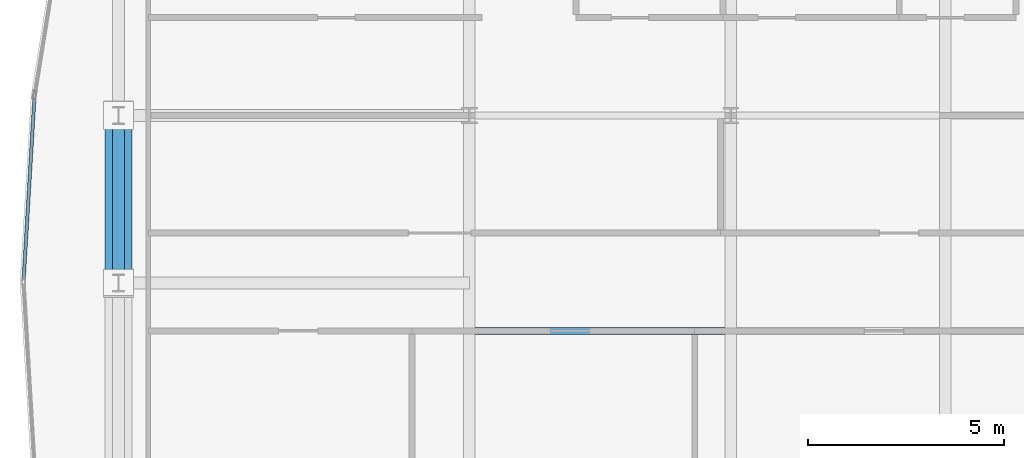
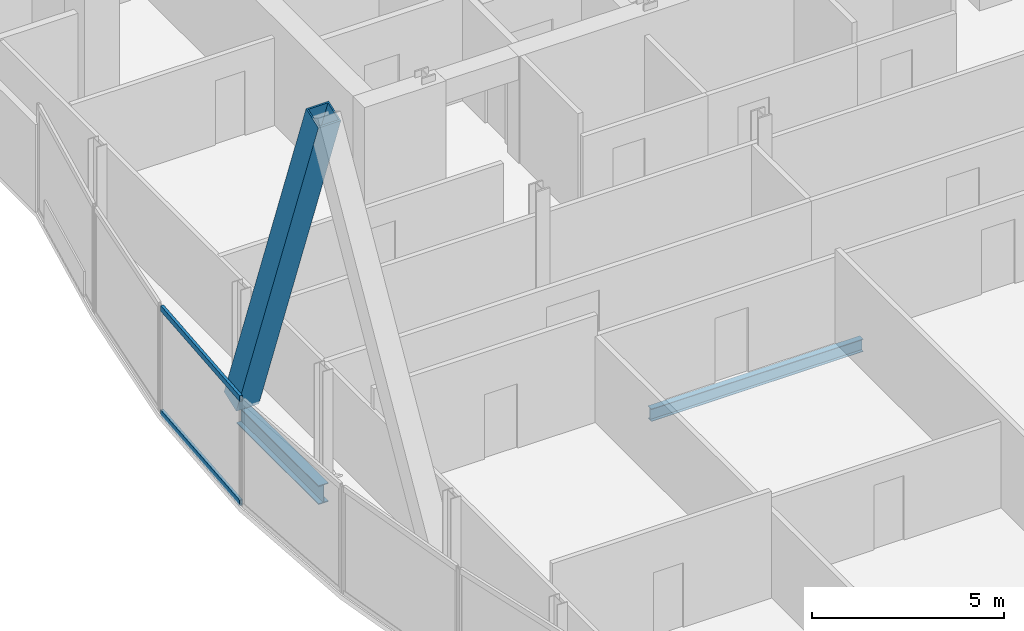
# One storey, part 11 of 31: 3 members, 2 beams, 1 element without a shape of its own.
"""IFC4 building model written with IfcOpenShell, lengths in metres."""

import ifcopenshell
import ifcopenshell.guid

model = None  # the IFC model being written
_history = None  # IfcOwnerHistory: only IFC2X3 demands one
_inside = {}  # id of a spatial element -> (the spatial element, [elements in it])
_under = {}  # id of a project, library or spatial element -> (it, [spatial elements below it])
_declared = {}  # id of a project -> (the project, [libraries it declares])
_typed = {}  # id of a type object -> (the type object, [elements of that type])
_made_of = {}  # id of a material, layer set ... -> (it, [elements and type objects made of it])


def new_model(schema):
    """Start an empty IFC model of exactly this schema.

    Asked for "IFC4X3", IfcOpenShell would pick the latest addendum, in which some entities
    have other attributes; the version numbers below select the first issue.
    IFC2X3 requires an IfcOwnerHistory on every rooted entity: one is made here for all.
    """
    global model, _history
    if schema == "IFC4X3":
        model = ifcopenshell.file(schema_version=(4, 3, 0, 0))
    else:
        model = ifcopenshell.file(schema=schema)
    _inside.clear()
    _under.clear()
    _declared.clear()
    _typed.clear()
    _made_of.clear()
    _history = None
    if model.schema == "IFC2X3":
        org = make("IfcOrganization", Name="unknown")
        user = make(
            "IfcPersonAndOrganization",
            ThePerson=make("IfcPerson", FamilyName="unknown"),
            TheOrganization=org,
        )
        app = make(
            "IfcApplication",
            ApplicationDeveloper=org,
            Version="unknown",
            ApplicationFullName="unknown",
            ApplicationIdentifier="unknown",
        )
        _history = make(
            "IfcOwnerHistory",
            OwningUser=user,
            OwningApplication=app,
            ChangeAction="ADDED",
            CreationDate=0,
        )
    return model


def make(cls, **values):
    """One entity of the class cls with the attributes given. An attribute that is None is left unset."""
    return model.create_entity(
        cls, **{name: value for name, value in values.items() if value is not None}
    )


def rooted(cls, **values):
    """An entity with a GlobalId (a new one), such as an element, a storey or a relation."""
    return make(cls, GlobalId=ifcopenshell.guid.new(), OwnerHistory=_history, **values)


def si_unit(unit_type, name, prefix=None):
    """IfcSIUnit, for example si_unit("LENGTHUNIT", "METRE", prefix="MILLI")."""
    return make("IfcSIUnit", UnitType=unit_type, Prefix=prefix, Name=name)


def assignment(units):
    """IfcUnitAssignment: the units of a project."""
    return None if units is None else make("IfcUnitAssignment", Units=units)


def point(xyz):
    """IfcCartesianPoint."""
    return None if xyz is None else make("IfcCartesianPoint", Coordinates=xyz)


def direction(xyz):
    """IfcDirection."""
    return None if xyz is None else make("IfcDirection", DirectionRatios=xyz)


def frame(location, z_axis=None, x_axis=None):
    """IfcAxis2Placement3D, a coordinate frame: its origin and axes. An axis left out is left unset."""
    return make(
        "IfcAxis2Placement3D",
        Location=point(location),
        Axis=direction(z_axis),
        RefDirection=direction(x_axis),
    )


def frame_2d(location, x_axis=None):
    """IfcAxis2Placement2D, a coordinate frame in the plane: its origin and x axis."""
    return make(
        "IfcAxis2Placement2D", Location=point(location), RefDirection=direction(x_axis)
    )


def origin():
    """The frame at (0, 0, 0) with its axes left unset."""
    return frame((0.0, 0.0, 0.0))


def origin_2d():
    """The frame at (0, 0) in the plane with its x axis left unset."""
    return frame_2d((0.0, 0.0))


def place(relative_to, where):
    """IfcLocalPlacement: puts the frame where relative to a parent placement (None: the world)."""
    return make(
        "IfcLocalPlacement", PlacementRelTo=relative_to, RelativePlacement=where
    )


def context(
    kind, dimensions, precision=None, world=None, true_north=None, identifier=None
):
    """IfcGeometricRepresentationContext, for example the 3D "Model" context."""
    return make(
        "IfcGeometricRepresentationContext",
        ContextIdentifier=identifier,
        ContextType=kind,
        CoordinateSpaceDimension=dimensions,
        Precision=precision,
        WorldCoordinateSystem=world,
        TrueNorth=true_north,
    )


def subcontext(parent, identifier, kind, view, scale=None):
    """IfcGeometricRepresentationSubContext, for example "Body" below "Model"."""
    return make(
        "IfcGeometricRepresentationSubContext",
        ContextIdentifier=identifier,
        ContextType=kind,
        ParentContext=parent,
        TargetScale=scale,
        TargetView=view,
    )


def project(units=None, contexts=None):
    """IfcProject with its units and contexts."""
    return rooted(
        "IfcProject",
        Name="project",
        RepresentationContexts=contexts,
        UnitsInContext=assignment(units),
    )


def spatial(cls, under=None, at=None, **own):
    """A site, building, storey or space (cls), placed at a placement, below another one or the project."""
    s = rooted(cls, ObjectPlacement=at, **own)
    if under is not None:
        _under.setdefault(under.id(), (under, []))[1].append(s)
    return s


def profile(cls, at=None, kind="AREA", **sizes):
    """A parametric profile (cls). Its sizes go by their IFC names, for example OverallWidth=200.0."""
    return make(cls, ProfileType=kind, Position=at, **sizes)


def hollow_rectangle(**sizes):
    """IfcRectangleHollowProfileDef."""
    return profile("IfcRectangleHollowProfileDef", **sizes)


def i_section(**sizes):
    """IfcIShapeProfileDef."""
    return profile("IfcIShapeProfileDef", **sizes)


def extrude(swept, where, along, depth):
    """IfcExtrudedAreaSolid: the profile swept, set in the frame where, extruded along a direction by depth."""
    return make(
        "IfcExtrudedAreaSolid",
        SweptArea=swept,
        Position=where,
        ExtrudedDirection=direction(along),
        Depth=depth,
    )


def shape(context_of_items, identifier, shape_type, items):
    """IfcShapeRepresentation: the items that make up one representation, for example the "Body"."""
    return make(
        "IfcShapeRepresentation",
        ContextOfItems=context_of_items,
        RepresentationIdentifier=identifier,
        RepresentationType=shape_type,
        Items=items,
    )


def material(Name=None, Category=None):
    """IfcMaterial."""
    return make("IfcMaterial", Name=Name, Category=Category)


def material_profile(
    of_material, cross_section, Name=None, Category=None, Priority=None
):
    """IfcMaterialProfile: a cross section and its material."""
    return make(
        "IfcMaterialProfile",
        Name=Name,
        Material=of_material,
        Profile=cross_section,
        Priority=Priority,
        Category=Category,
    )


def profile_set(profiles, Name=None, composite=None):
    """IfcMaterialProfileSet."""
    return make(
        "IfcMaterialProfileSet",
        Name=Name,
        MaterialProfiles=profiles,
        CompositeProfile=composite,
    )


def made_of(thing, what):
    """Note that an element or type object is made of a material, layer set ...; save() writes the relation."""
    if what is not None:
        _made_of.setdefault(what.id(), (what, []))[1].append(thing)
    return thing


def type_object(cls, material=None, **own):
    """A type object (cls), such as IfcWallType, which elements share."""
    return made_of(rooted(cls, **own), material)


def element(
    cls,
    number,
    at=None,
    inside=None,
    cuts=None,
    type_object=None,
    material=None,
    context=None,
    identifier="Body",
    shape_type=None,
    held_by="IfcProductDefinitionShape",
    body=None,
    shapes=None,
    **own,
):
    """One element of the class cls, such as IfcWall. Its Tag is "e" and its number.

    at: its placement. inside: the storey or other place that contains it. cuts: it is an
    opening in that element (IfcRelVoidsElement). A single representation is given by context,
    identifier, shape_type and body (its items); several are given by shapes. held_by: the class
    of the entity that holds the representations. save() writes the other relations.
    """
    e = rooted(cls, Tag="e%d" % number, ObjectPlacement=at, **own)
    if body is not None:
        shapes = [shape(context, identifier, shape_type, body)]
    if shapes is not None:
        e.Representation = make(held_by, Representations=shapes)
    if inside is not None:
        _inside.setdefault(inside.id(), (inside, []))[1].append(e)
    if cuts is not None:
        rooted(
            "IfcRelVoidsElement", RelatingBuildingElement=cuts, RelatedOpeningElement=e
        )
    if type_object is not None:
        _typed.setdefault(type_object.id(), (type_object, []))[1].append(e)
    return made_of(e, material)


def aggregate(whole, parts):
    """IfcRelAggregates: a whole, such as a stair, and the parts it consists of."""
    return rooted("IfcRelAggregates", RelatingObject=whole, RelatedObjects=parts)


def save(model, path):
    """Write the relations noted so far, then the file.

    IfcRelAggregates (storeys below a building ...), IfcRelContainedInSpatialStructure (elements
    in a storey), IfcRelDefinesByType, IfcRelAssociatesMaterial and IfcRelDeclares: one each for
    every whole, place, type object, material and project.
    """
    for whole, parts in _under.values():
        aggregate(whole, parts)
    for where, things in _inside.values():
        rooted(
            "IfcRelContainedInSpatialStructure",
            RelatedElements=things,
            RelatingStructure=where,
        )
    for kind, things in _typed.values():
        rooted("IfcRelDefinesByType", RelatedObjects=things, RelatingType=kind)
    for what, things in _made_of.values():
        rooted("IfcRelAssociatesMaterial", RelatedObjects=things, RelatingMaterial=what)
    for by, libraries in _declared.values():
        rooted("IfcRelDeclares", RelatingContext=by, RelatedDefinitions=libraries)
    model.write(path)


model = new_model("IFC4")

# Units and contexts
model_context = context("Model", 3, precision=1e-05, world=origin(), true_north=direction((0.0, 1.0)))
body_context = subcontext(model_context, "Body", "Model", "MODEL_VIEW")
ifc_project = project(units=[si_unit("LENGTHUNIT", "METRE"), si_unit("AREAUNIT", "SQUARE_METRE"), si_unit("VOLUMEUNIT", "CUBIC_METRE"), si_unit("PLANEANGLEUNIT", "RADIAN"), si_unit("MASSUNIT", "GRAM", prefix="KILO")], contexts=[model_context])

# Site, building, storey
site_placement = place(None, origin())
site = spatial("IfcSite", under=ifc_project, at=site_placement, CompositionType="ELEMENT")
building_placement = place(site_placement, origin())
building = spatial("IfcBuilding", under=site, at=building_placement, Name="Khoronbel Lancet Exchange", CompositionType="ELEMENT")
storey_placement = place(building_placement, frame((0.0, 0.0, 261.800048828125)))
storey = spatial("IfcBuildingStorey", under=building, at=storey_placement, Name="L67", CompositionType="ELEMENT", Elevation=261.800048828125)

# Beams
ifc_material_1 = material(Name="Steel S355", Category="steel")
ifc_material_profile_1 = material_profile(ifc_material_1, i_section(OverallWidth=0.179931640625, OverallDepth=0.39990234375, WebThickness=0.008544921875, FlangeThickness=0.013427734375, at=origin_2d()), Name="IPE 400")
ifc_profile_set_1 = profile_set([ifc_material_profile_1], Name="Steel S355")
beam_type_1 = type_object("IfcBeamType", Name="BM-BJ5", PredefinedType="JOIST", material=ifc_profile_set_1)
beam_1_placement = place(storey_placement, frame((18.375, 30.199951171875, -0.360107421875), z_axis=(1.0, 0.0, 0.0), x_axis=(0.0, 1.0, 0.0)))
element("IfcBeam", 1, at=beam_1_placement, inside=storey, type_object=beam_type_1, Name="Level L67 secondary composite joist J11", PredefinedType="JOIST", context=body_context, shape_type="SweptSolid", body=[
    extrude(i_section(OverallWidth=0.179931640625, OverallDepth=0.39990234375, WebThickness=0.008544921875, FlangeThickness=0.013427734375, at=origin_2d()), origin(), (0.0, 0.0, 1.0), 6.375),
])
ifc_material_profile_2 = material_profile(ifc_material_1, i_section(OverallWidth=0.300048828125, OverallDepth=0.60009765625, WebThickness=0.015380859375, FlangeThickness=0.030029296875, at=origin_2d()), Name="HEB 600")
ifc_profile_set_2 = profile_set([ifc_material_profile_2], Name="Steel S355")
beam_type_2 = type_object("IfcBeamType", Name="BM-BSP2", PredefinedType="SPANDREL", material=ifc_profile_set_2)
beam_2_placement = place(storey_placement, frame((9.27001953125, 35.699951171875, -0.4599609375), z_axis=(0.0, -1.0, 0.0), x_axis=(1.0, 0.0, 0.0)))
element("IfcBeam", 2, at=beam_2_placement, inside=storey, type_object=beam_type_2, Name="Level L67 perimeter spandrel beam SP18", PredefinedType="SPANDREL", context=body_context, shape_type="SweptSolid", body=[
    extrude(i_section(OverallWidth=0.300048828125, OverallDepth=0.60009765625, WebThickness=0.015380859375, FlangeThickness=0.030029296875, at=origin_2d()), origin(), (0.0, 0.0, 1.0), 4.27490234375),
])

# Curtain wall, members
ifc_material_2 = material(Name="Low-E Solar Control Insulating Glass", Category="glass")
curtain_wall_type = type_object("IfcCurtainWallType", Name="CW-4", PredefinedType="NOTDEFINED", material=ifc_material_2)
curtain_wall_placement = place(storey_placement, origin())
curtain_wall = element("IfcCurtainWall", 3, at=curtain_wall_placement, inside=storey, type_object=curtain_wall_type, Name="Unitised curtain wall CW-L67-E07", PredefinedType="NOTDEFINED")
ifc_material_3 = material(Name="Bronze-Anodised Aluminium 6063-T6", Category="aluminium")
ifc_material_profile_3 = material_profile(ifc_material_3, hollow_rectangle(XDim=0.0849609375, YDim=0.179931640625, WallThickness=0.0048828125, at=origin_2d()), Name="ALU TRANSOM 85x180")
ifc_profile_set_3 = profile_set([ifc_material_profile_3], Name="Bronze-Anodised Aluminium 6063-T6")
member_type_1 = type_object("IfcMemberType", Name="MEM-CWT1", PredefinedType="USERDEFINED", material=ifc_profile_set_3)
member_1_placement = place(storey_placement, frame((6.848388671875, 31.52490234375, 0.04248046875), z_axis=(0.059039478844, 0.998255648588, 0.0), x_axis=(-0.998255648588, 0.059039478844, 0.0)))
member_1 = element("IfcMember", 4, at=member_1_placement, type_object=member_type_1, Name="CW4 transom 1.1", ObjectType="TRANSOM", PredefinedType="USERDEFINED", context=body_context, shape_type="SweptSolid", body=[
    extrude(hollow_rectangle(XDim=0.0849609375, YDim=0.179931640625, WallThickness=0.0048828125, at=origin_2d()), origin(), (0.0, 0.0, 1.0), 4.598388671875),
])
member_2_placement = place(storey_placement, frame((6.848388671875, 31.52490234375, 3.357421875), z_axis=(0.059039478844, 0.998255648588, 0.0), x_axis=(-0.998255648588, 0.059039478844, 0.0)))
member_2 = element("IfcMember", 5, at=member_2_placement, type_object=member_type_1, Name="CW4 transom 1.2", ObjectType="TRANSOM", PredefinedType="USERDEFINED", context=body_context, shape_type="SweptSolid", body=[
    extrude(hollow_rectangle(XDim=0.0849609375, YDim=0.179931640625, WallThickness=0.0048828125, at=origin_2d()), origin(), (0.0, 0.0, 1.0), 4.598388671875),
])
aggregate(curtain_wall, [member_1, member_2])

# Member
ifc_material_4 = material(Name="Steel S460", Category="steel")
ifc_material_profile_4 = material_profile(ifc_material_4, hollow_rectangle(XDim=0.679931640625, YDim=0.679931640625, WallThickness=0.044921875, at=origin_2d()), Name="BOX 680x680x45")
ifc_profile_set_4 = profile_set([ifc_material_profile_4], Name="Steel S460")
member_type_2 = type_object("IfcMemberType", Name="MEM-MB3", PredefinedType="BRACE", material=ifc_profile_set_4)
member_3_placement = place(storey_placement, frame((9.27001953125, 35.699951171875, 0.0), z_axis=(0.0, -0.345795959408, 0.938309732688), x_axis=(1.0, 0.0, 0.0)))
element("IfcMember", 6, at=member_3_placement, inside=storey, type_object=member_type_2, Name="Perimeter lancet brace tier 23 W-P-R", PredefinedType="BRACE", context=body_context, shape_type="SweptSolid", body=[
    extrude(hollow_rectangle(XDim=0.679931640625, YDim=0.679931640625, WallThickness=0.044921875, at=origin_2d()), origin(), (0.0, 0.0, 1.0), 12.362548828125),
])

save(model, "model.ifc")
